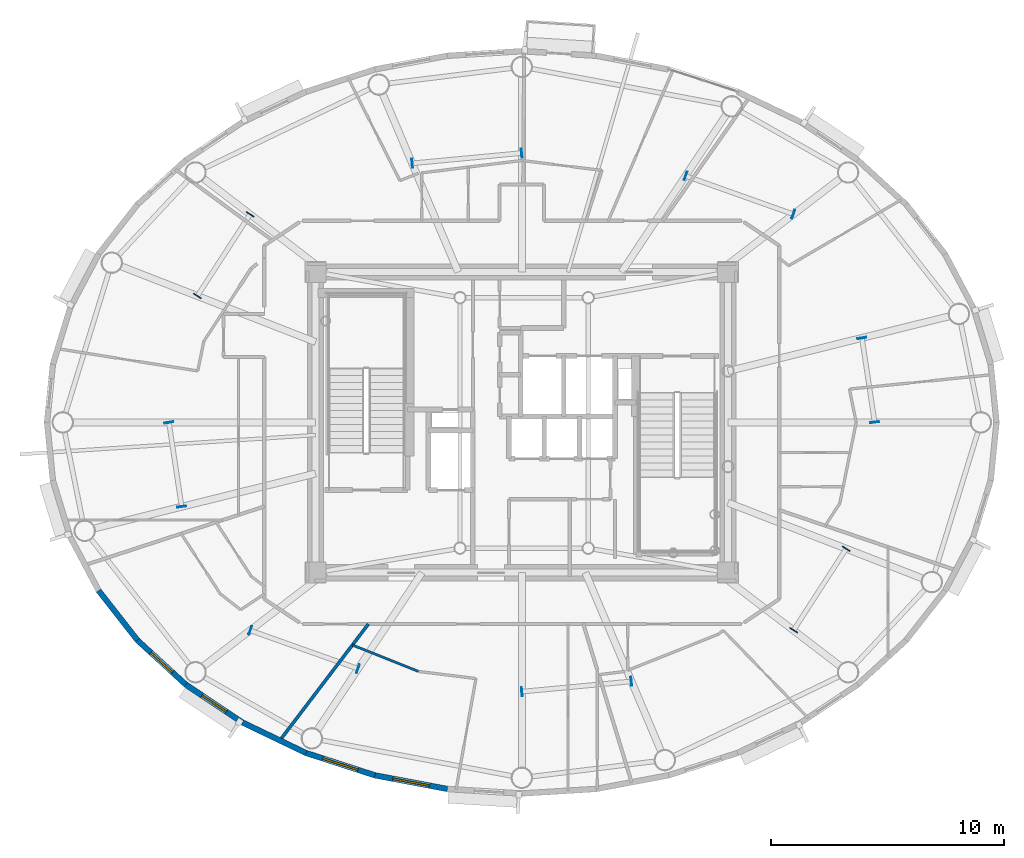
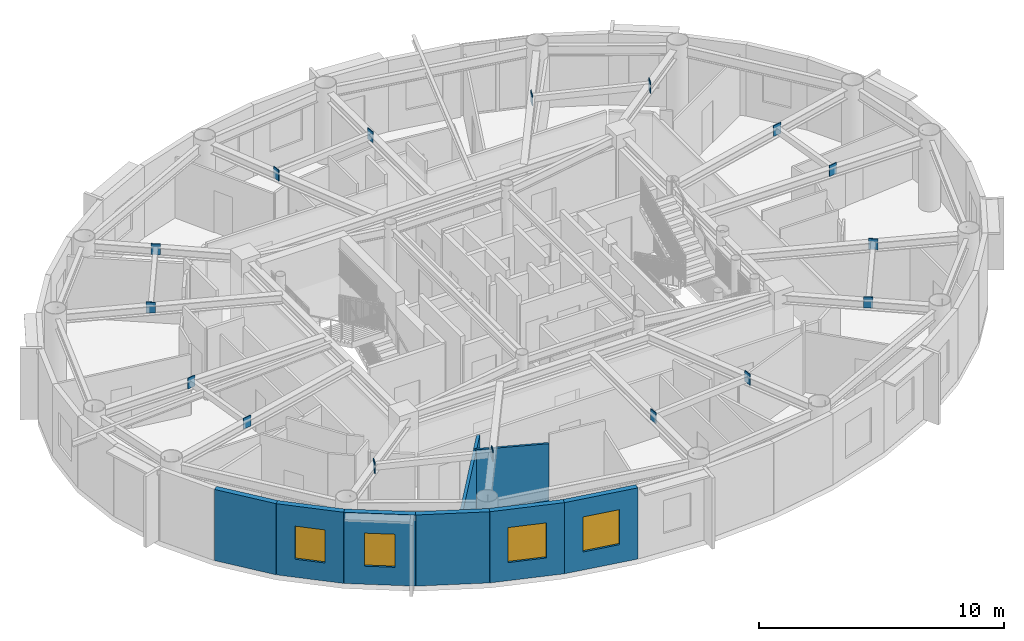
# One storey, part 5 of 17: 16 plates, 8 walls, 4 windows, 4 openings.
"""IFC4 building model written with IfcOpenShell, lengths in metres."""

from ifc_helpers import new_model, si_unit, direction, frame, frame_2d, origin, origin_2d, place, context, subcontext, project, spatial, rectangle, extrude, source, transform, mapped, material, layer, layer_set, type_object, element, fill, save


model = new_model("IFC4")

# Units and contexts
model_context = context("Model", 3, precision=1e-05, world=origin(), true_north=direction((0.0, 1.0)))
body_context = subcontext(model_context, "Body", "Model", "MODEL_VIEW")
ifc_project = project(units=[si_unit("LENGTHUNIT", "METRE"), si_unit("AREAUNIT", "SQUARE_METRE"), si_unit("VOLUMEUNIT", "CUBIC_METRE"), si_unit("PLANEANGLEUNIT", "RADIAN"), si_unit("MASSUNIT", "GRAM", prefix="KILO")], contexts=[model_context])

# Site, building, storey
site_placement = place(None, origin())
site = spatial("IfcSite", under=ifc_project, at=site_placement, CompositionType="ELEMENT")
building_placement = place(site_placement, origin())
building = spatial("IfcBuilding", under=site, at=building_placement, Name="Linh Dai School and Residence Tower", CompositionType="ELEMENT")
storey_placement = place(building_placement, frame((0.0, 0.0, 331.60009765625)))
storey = spatial("IfcBuildingStorey", under=building, at=storey_placement, Name="L82", CompositionType="ELEMENT", Elevation=331.60009765625)

# Plates
ifc_material_1 = material(Name="Structural Steel S355JR", Category="steel")
ifc_layer_1 = layer(ifc_material_1, 0.0400390625)
ifc_layer_set_1 = layer_set([ifc_layer_1], Name="Structural Steel S355JR")
plate_type = type_object("IfcPlateType", Name="PLT-GP1", PredefinedType="USERDEFINED", material=ifc_layer_set_1)
shared_shape_1 = source(origin(), body_context, "Body", "SweptSolid", [
    extrude(rectangle(XDim=0.0400390625, YDim=0.3798828125, at=origin_2d()), origin(), (0.0, 0.0, 1.0), 0.5400390625),
])
for number, where, z_axis, x_axis, name in (
    (1, (51.142333984375, 27.0048828125, 3.1298828125), (0.0, 0.0, 1.0), (-0.14919569937, 0.988807687718, 0.0), "L82 Secondary Beam End Plate 01A"),
    (2, (50.59716796875, 30.6171875, 3.1298828125), (0.0, 0.0, 1.0), (-0.14919569937, 0.988807687718, 0.0), "L82 Secondary Beam End Plate 01B"),
    (3, (47.654296875, 35.929931640625, 3.1298828125), (0.0, 0.0, 1.0), (-0.942250610754, 0.334908624154, 0.0), "L82 Secondary Beam End Plate 02A"),
    (4, (43.030517578125, 37.5732421875, 3.1298828125), (0.0, 0.0, 1.0), (-0.942250610754, 0.334908624154, 0.0), "L82 Secondary Beam End Plate 02B"),
    (5, (35.9951171875, 38.556396484375, 3.1298828125), (0.0, 0.0, 1.0), (-0.995631242952, -0.093372523034, 0.0), "L82 Secondary Beam End Plate 03A"),
    (6, (31.298095703125, 38.115966796875, 3.1298828125), (0.0, 0.0, 1.0), (-0.995631242952, -0.093372523034, 0.0), "L82 Secondary Beam End Plate 03B"),
    (7, (24.33837890625, 35.924072265625, 3.1298828125), (0.0, 0.0, 1.0), (-0.542321659553, -0.840170945451, 0.0), "L82 Secondary Beam End Plate 04A"),
    (8, (22.08056640625, 32.42626953125, 3.1298828125), (0.0, 0.0, 1.0), (-0.542321659553, -0.840170945451, 0.0), "L82 Secondary Beam End Plate 04B"),
    (9, (20.857666015625, 26.9951171875, 3.1298828125), (0.0, 0.0, 1.0), (0.14919569937, -0.988807687718, 0.0), "L82 Secondary Beam End Plate 05A"),
    (10, (21.40283203125, 23.3828125, 3.1298828125), (0.0, 0.0, 1.0), (0.14919569937, -0.988807687718, 0.0), "L82 Secondary Beam End Plate 05B"),
    (11, (24.345703125, 18.070068359375, 3.1298828125), (0.0, 0.0, 1.0), (0.942250610754, -0.334908624154, 0.0), "L82 Secondary Beam End Plate 06A"),
    (12, (28.969482421875, 16.4267578125, 3.1298828125), (0.0, 0.0, 1.0), (0.942250610754, -0.334908624154, 0.0), "L82 Secondary Beam End Plate 06B"),
    (13, (36.0048828125, 15.443603515625, 3.1298828125), (0.0, 0.0, 1.0), (0.995631242952, 0.093372523034, 0.0), "L82 Secondary Beam End Plate 07A"),
    (14, (40.701904296875, 15.884033203125, 3.1298828125), (0.0, 0.0, 1.0), (0.995631242952, 0.093372523034, 0.0), "L82 Secondary Beam End Plate 07B"),
    (15, (47.66162109375, 18.075927734375, 3.1298828125), (0.0, 0.0, 1.0), (0.542321659553, 0.840170945451, 0.0), "L82 Secondary Beam End Plate 08A"),
    (16, (49.91943359375, 21.57373046875, 3.1298828125), (0.0, 0.0, 1.0), (0.542321659553, 0.840170945451, 0.0), "L82 Secondary Beam End Plate 08B"),
):
    element("IfcPlate", number, at=place(storey_placement, frame(where, z_axis=z_axis, x_axis=x_axis)), inside=storey, type_object=plate_type, Name=name, ObjectType="GUSSET PLATE", PredefinedType="USERDEFINED", context=body_context, shape_type="MappedRepresentation", body=[
        mapped(shared_shape_1, transform((0.0, 0.0, 0.0), x_axis=(1.0, 0.0, 0.0), y_axis=(0.0, 1.0, 0.0), z_axis=(0.0, 0.0, 1.0), scale=1.0)),
    ])

# Wall
ifc_material_2 = material(Name="Precast Concrete B45 (C35/45)", Category="concrete")
ifc_layer_2 = layer(ifc_material_2, 0.239990234375)
ifc_layer_set_2 = layer_set([ifc_layer_2], Name="Precast Concrete B45 (C35/45)")
wall_type_1 = type_object("IfcWallType", Name="EW-TC-240", PredefinedType="SOLIDWALL", material=ifc_layer_set_2)
wall_1_placement = place(storey_placement, frame((19.5068359375, 17.648193359375, 0.0), z_axis=(0.0, 0.0, 1.0), x_axis=(-0.616286367698, 0.78752213492, 0.0)))
element("IfcWall", 17, at=wall_1_placement, inside=storey, type_object=wall_type_1, Name="L82 Terracotta Exterior Wall 24", PredefinedType="SOLIDWALL", context=body_context, shape_type="SweptSolid", body=[
    extrude(rectangle(XDim=2.7060546875, YDim=0.239990234375, at=frame_2d((1.35302734375, 0.0))), origin(), (0.0, 0.0, 1.0), 3.5498046875),
])

# Wall, opening, window
wall_2_placement = place(storey_placement, frame((21.581298828125, 15.745849609375, 0.0), z_axis=(0.0, 0.0, 1.0), x_axis=(-0.737020907932, 0.675869944051, 0.0)))
wall_2 = element("IfcWall", 18, at=wall_2_placement, inside=storey, type_object=wall_type_1, Name="L82 Terracotta Exterior Wall 25", PredefinedType="SOLIDWALL", context=body_context, shape_type="SweptSolid", body=[
    extrude(rectangle(XDim=2.814697265625, YDim=0.239990234375, at=frame_2d((1.4072265625, 0.0))), origin(), (0.0, 0.0, 1.0), 3.5498046875),
])
opening_1_placement = place(wall_2_placement, frame((0.781982421875, 0.0, 0.89990234375)))
opening_1 = element("IfcOpeningElement", 19, at=opening_1_placement, cuts=wall_2, Name="Opening W3", PredefinedType="OPENING", context=body_context, shape_type="SweptSolid", body=[
    extrude(rectangle(XDim=1.25, YDim=1.64990234375, at=origin_2d()), frame((0.625, 0.1298828125, 0.824951171875), z_axis=(0.0, -1.0, 0.0), x_axis=(1.0, 0.0, 0.0)), (0.0, 0.0, 1.0), 0.260009765625),
])
ifc_material_3 = material(Name="Double Low-E Insulated Glazing", Category="glass")
window_type_1 = type_object("IfcWindowType", Name="WN-RES-1250x1650", PartitioningType="SINGLE_PANEL", PredefinedType="WINDOW", material=ifc_material_3)
shared_shape_2 = source(origin(), body_context, "Body", "SweptSolid", [
    extrude(rectangle(XDim=1.25, YDim=1.64990234375, at=origin_2d()), frame((0.625, 0.030029296875, 0.824951171875), z_axis=(0.0, -1.0, 0.0), x_axis=(1.0, 0.0, 0.0)), (0.0, 0.0, 1.0), 0.06005859375),
])
window_1_placement = place(opening_1_placement, origin())
window_1 = element("IfcWindow", 20, at=window_1_placement, inside=storey, type_object=window_type_1, Name="L82 Exterior Window 25.1", OverallHeight=1.64990234375, OverallWidth=1.25, PartitioningType="SINGLE_PANEL", PredefinedType="WINDOW", context=body_context, shape_type="MappedRepresentation", body=[
    mapped(shared_shape_2, transform((0.0, 0.0, 0.0), x_axis=(1.0, 0.0, 0.0), y_axis=(0.0, 1.0, 0.0), z_axis=(0.0, 0.0, 1.0), scale=1.0)),
])
fill(opening_1, window_1)

wall_3_placement = place(storey_placement, frame((24.01220703125, 14.119873046875, 0.0), z_axis=(0.0, 0.0, 1.0), x_axis=(-0.831201688654, 0.555970999944, 0.0)))
wall_3 = element("IfcWall", 21, at=wall_3_placement, inside=storey, type_object=wall_type_1, Name="L82 Terracotta Exterior Wall 26", PredefinedType="SOLIDWALL", context=body_context, shape_type="SweptSolid", body=[
    extrude(rectangle(XDim=2.924560546875, YDim=0.239990234375, at=frame_2d((1.46240234375, 0.0))), origin(), (0.0, 0.0, 1.0), 3.5498046875),
])
opening_2_placement = place(wall_3_placement, frame((0.837158203125, 0.0, 0.89990234375)))
opening_2 = element("IfcOpeningElement", 22, at=opening_2_placement, cuts=wall_3, Name="Opening W3", PredefinedType="OPENING", context=body_context, shape_type="SweptSolid", body=[
    extrude(rectangle(XDim=1.25, YDim=1.64990234375, at=origin_2d()), frame((0.625, 0.1298828125, 0.824951171875), z_axis=(0.0, -1.0, 0.0), x_axis=(1.0, 0.0, 0.0)), (0.0, 0.0, 1.0), 0.260009765625),
])
window_2_placement = place(opening_2_placement, origin())
window_2 = element("IfcWindow", 23, at=window_2_placement, inside=storey, type_object=window_type_1, Name="L82 Exterior Window 26.1", OverallHeight=1.64990234375, OverallWidth=1.25, PartitioningType="SINGLE_PANEL", PredefinedType="WINDOW", context=body_context, shape_type="MappedRepresentation", body=[
    mapped(shared_shape_2, transform((0.0, 0.0, 0.0), x_axis=(1.0, 0.0, 0.0), y_axis=(0.0, 1.0, 0.0), z_axis=(0.0, 0.0, 1.0), scale=1.0)),
])
fill(opening_2, window_2)

# Wall
wall_4_placement = place(storey_placement, frame((26.739501953125, 12.81103515625, 0.0), z_axis=(0.0, 0.0, 1.0), x_axis=(-0.901557057889, 0.432660226241, 0.0)))
element("IfcWall", 24, at=wall_4_placement, inside=storey, type_object=wall_type_1, Name="L82 Terracotta Exterior Wall 27", PredefinedType="SOLIDWALL", context=body_context, shape_type="SweptSolid", body=[
    extrude(rectangle(XDim=3.025146484375, YDim=0.239990234375, at=frame_2d((1.5126953125, 0.0))), origin(), (0.0, 0.0, 1.0), 3.5498046875),
])

# Wall, opening, window
wall_5_placement = place(storey_placement, frame((29.696044921875, 11.85205078125, 0.0), z_axis=(0.0, 0.0, 1.0), x_axis=(-0.951212850731, 0.308535431682, 0.0)))
wall_5 = element("IfcWall", 25, at=wall_5_placement, inside=storey, type_object=wall_type_1, Name="L82 Terracotta Exterior Wall 28", PredefinedType="SOLIDWALL", context=body_context, shape_type="SweptSolid", body=[
    extrude(rectangle(XDim=3.108154296875, YDim=0.239990234375, at=frame_2d((1.55419921875, 0.0))), origin(), (0.0, 0.0, 1.0), 3.5498046875),
])
opening_3_placement = place(wall_5_placement, frame((0.75390625, 0.0, 0.89990234375)))
opening_3 = element("IfcOpeningElement", 26, at=opening_3_placement, cuts=wall_5, Name="Opening W2", PredefinedType="OPENING", context=body_context, shape_type="SweptSolid", body=[
    extrude(rectangle(XDim=1.60009765625, YDim=1.75, at=origin_2d()), frame((0.800048828125, 0.1298828125, 0.875), z_axis=(0.0, -1.0, 0.0), x_axis=(1.0, 0.0, 0.0)), (0.0, 0.0, 1.0), 0.260009765625),
])
window_type_2 = type_object("IfcWindowType", Name="WN-RES-1600x1750", PartitioningType="DOUBLE_PANEL_VERTICAL", PredefinedType="WINDOW", material=ifc_material_3)
shared_shape_3 = source(origin(), body_context, "Body", "SweptSolid", [
    extrude(rectangle(XDim=1.60009765625, YDim=1.75, at=origin_2d()), frame((0.800048828125, 0.030029296875, 0.875), z_axis=(0.0, -1.0, 0.0), x_axis=(1.0, 0.0, 0.0)), (0.0, 0.0, 1.0), 0.06005859375),
])
window_3_placement = place(opening_3_placement, origin())
window_3 = element("IfcWindow", 27, at=window_3_placement, inside=storey, type_object=window_type_2, Name="L82 Exterior Window 28.1", OverallHeight=1.75, OverallWidth=1.60009765625, PartitioningType="DOUBLE_PANEL_VERTICAL", PredefinedType="WINDOW", context=body_context, shape_type="MappedRepresentation", body=[
    mapped(shared_shape_3, transform((0.0, 0.0, 0.0), x_axis=(1.0, 0.0, 0.0), y_axis=(0.0, 1.0, 0.0), z_axis=(0.0, 0.0, 1.0), scale=1.0)),
])
fill(opening_3, window_3)

wall_6_placement = place(storey_placement, frame((32.80859375, 11.2666015625, 0.0), z_axis=(0.0, 0.0, 1.0), x_axis=(-0.98276643264, 0.184851667226, 0.0)))
wall_6 = element("IfcWall", 28, at=wall_6_placement, inside=storey, type_object=wall_type_1, Name="L82 Terracotta Exterior Wall 29", PredefinedType="SOLIDWALL", context=body_context, shape_type="SweptSolid", body=[
    extrude(rectangle(XDim=3.167236328125, YDim=0.239990234375, at=frame_2d((1.58349609375, 0.0))), origin(), (0.0, 0.0, 1.0), 3.5498046875),
])
opening_4_placement = place(wall_6_placement, frame((0.783447265625, 0.0, 0.89990234375)))
opening_4 = element("IfcOpeningElement", 29, at=opening_4_placement, cuts=wall_6, Name="Opening W2", PredefinedType="OPENING", context=body_context, shape_type="SweptSolid", body=[
    extrude(rectangle(XDim=1.60009765625, YDim=1.75, at=origin_2d()), frame((0.800048828125, 0.1298828125, 0.875), z_axis=(0.0, -1.0, 0.0), x_axis=(1.0, 0.0, 0.0)), (0.0, 0.0, 1.0), 0.260009765625),
])
window_4_placement = place(opening_4_placement, origin())
window_4 = element("IfcWindow", 30, at=window_4_placement, inside=storey, type_object=window_type_2, Name="L82 Exterior Window 29.1", OverallHeight=1.75, OverallWidth=1.60009765625, PartitioningType="DOUBLE_PANEL_VERTICAL", PredefinedType="WINDOW", context=body_context, shape_type="MappedRepresentation", body=[
    mapped(shared_shape_3, transform((0.0, 0.0, 0.0), x_axis=(1.0, 0.0, 0.0), y_axis=(0.0, 1.0, 0.0), z_axis=(0.0, 0.0, 1.0), scale=1.0)),
])
fill(opening_4, window_4)

# Walls
ifc_material_4 = material(Name="Autoclaved Aerated Concrete Blockwork", Category="masonry")
ifc_layer_3 = layer(ifc_material_4, 0.135009765625)
ifc_layer_set_3 = layer_set([ifc_layer_3], Name="Autoclaved Aerated Concrete Blockwork")
wall_type_2 = type_object("IfcWallType", Name="IW-CORR-135-EI90", PredefinedType="PARTITIONING", material=ifc_layer_set_3)
wall_7_placement = place(storey_placement, frame((25.613525390625, 13.345703125, 0.0), z_axis=(0.0, 0.0, 1.0), x_axis=(0.605434685467, 0.7958949941, 0.0)))
element("IfcWall", 31, at=wall_7_placement, inside=storey, type_object=wall_type_2, Name="L82 Interior Partition Wall 020", PredefinedType="PARTITIONING", context=body_context, shape_type="SweptSolid", body=[
    extrude(rectangle(XDim=6.287353515625, YDim=0.135009765625, at=frame_2d((3.1435546875, 0.0))), origin(), (0.0, 0.0, 1.0), 3.034912109375),
])
ifc_material_5 = material(Name="Gypsum Plasterboard Acoustic Stud Partition", Category="masonry")
ifc_layer_4 = layer(ifc_material_5, 0.10009765625)
ifc_layer_set_4 = layer_set([ifc_layer_4], Name="Gypsum Plasterboard Acoustic Stud Partition")
wall_type_3 = type_object("IfcWallType", Name="IW-UNIT-100", PredefinedType="PARTITIONING", material=ifc_layer_set_4)
wall_8_placement = place(storey_placement, frame((28.730224609375, 17.443115234375, 0.0), z_axis=(0.0, 0.0, 1.0), x_axis=(0.928768706547, -0.370659803241, 0.0)))
element("IfcWall", 32, at=wall_8_placement, inside=storey, type_object=wall_type_3, Name="L82 Interior Partition Wall 025", PredefinedType="PARTITIONING", context=body_context, shape_type="SweptSolid", body=[
    extrude(rectangle(XDim=3.052978515625, YDim=0.10009765625, at=frame_2d((1.5263671875, 0.0))), origin(), (0.0, 0.0, 1.0), 3.0849609375),
])

save(model, "model.ifc")
